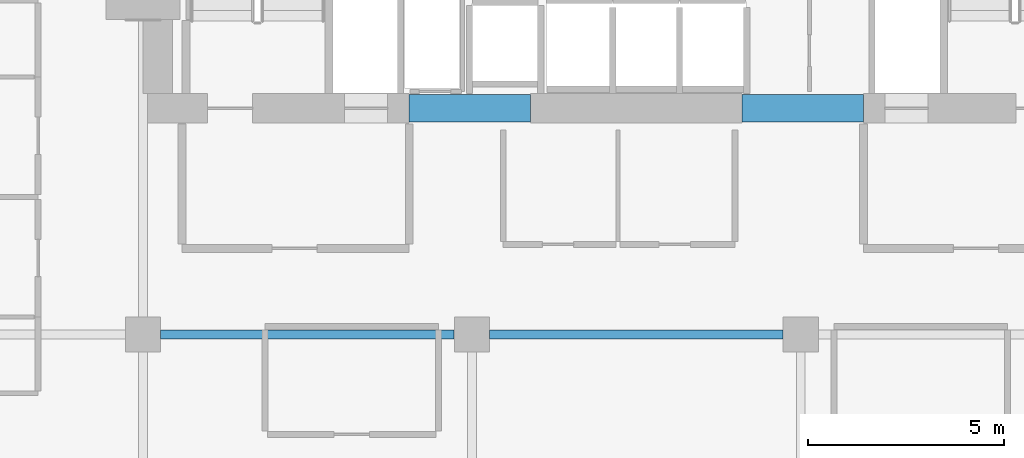
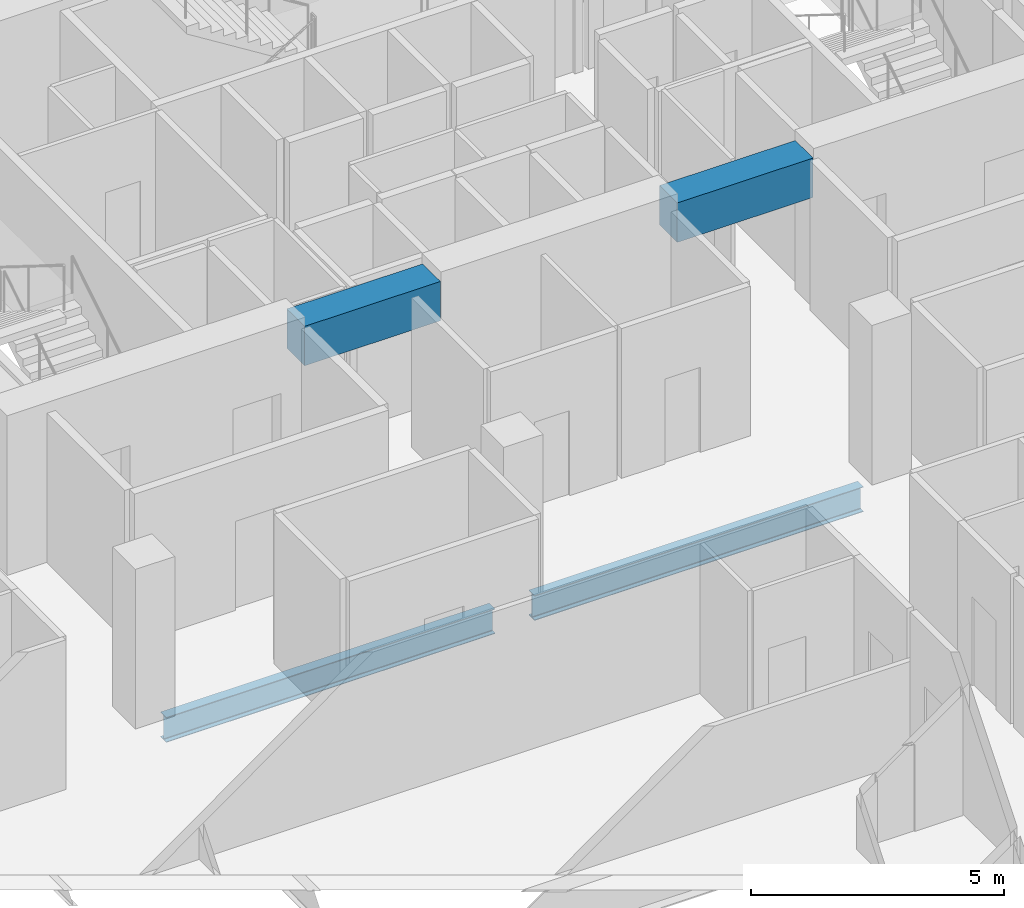
# One storey, part 21 of 34: 4 beams.
"""IFC4 building model written with IfcOpenShell, lengths in metres."""

from ifc_helpers import new_model, si_unit, direction, frame, origin, origin_2d, place, context, subcontext, project, spatial, rectangle, i_section, extrude, material, material_profile, profile_set, type_object, element, save


model = new_model("IFC4")

# Units and contexts
model_context = context("Model", 3, precision=1e-05, world=origin(), true_north=direction((0.0, 1.0)))
body_context = subcontext(model_context, "Body", "Model", "MODEL_VIEW")
ifc_project = project(units=[si_unit("LENGTHUNIT", "METRE"), si_unit("AREAUNIT", "SQUARE_METRE"), si_unit("VOLUMEUNIT", "CUBIC_METRE"), si_unit("PLANEANGLEUNIT", "RADIAN"), si_unit("MASSUNIT", "GRAM", prefix="KILO")], contexts=[model_context])

# Site, building, storey
site_placement = place(None, origin())
site = spatial("IfcSite", under=ifc_project, at=site_placement, CompositionType="ELEMENT")
building_placement = place(site_placement, origin())
building = spatial("IfcBuilding", under=site, at=building_placement, Name="Maruvema Waterfront Hotel and Observation Tower", CompositionType="ELEMENT")
storey_placement = place(building_placement, frame((0.0, 0.0, 181.300048828125)))
storey = spatial("IfcBuildingStorey", under=building, at=storey_placement, Name="L44", CompositionType="ELEMENT", Elevation=181.300048828125)

# Beams
ifc_material_1 = material(Name="Concrete C60/75", Category="concrete")
ifc_material_profile_1 = material_profile(ifc_material_1, rectangle(XDim=0.699951171875, YDim=0.949951171875, at=origin_2d()), Name="CB700x950")
ifc_profile_set_1 = profile_set([ifc_material_profile_1], Name="Concrete C60/75")
beam_type_1 = type_object("IfcBeamType", Name="Core Coupling Lintel Beam CB700x950", PredefinedType="LINTEL", material=ifc_profile_set_1)
for number, where, z_axis, x_axis, name in (
    (1, (32.0, 41.77490234375, 3.135009765625), (1.0, 0.0, 0.0), (0.0, 1.0, 0.0), "L44 Core Coupling Lintel Beam West"),
    (2, (40.5, 41.77490234375, 3.135009765625), (1.0, 0.0, 0.0), (0.0, 1.0, 0.0), "L44 Core Coupling Lintel Beam East"),
):
    element("IfcBeam", number, at=place(storey_placement, frame(where, z_axis=z_axis, x_axis=x_axis)), inside=storey, type_object=beam_type_1, Name=name, PredefinedType="LINTEL", context=body_context, shape_type="SweptSolid", body=[
        extrude(rectangle(XDim=0.699951171875, YDim=0.949951171875, at=origin_2d()), origin(), (0.0, 0.0, 1.0), 3.10009765625),
    ])
ifc_material_2 = material(Name="Steel ASTM A572 Grade 50", Category="steel")
ifc_material_profile_2 = material_profile(ifc_material_2, i_section(OverallWidth=0.22802734375, OverallDepth=0.60302734375, WebThickness=0.010498046875, FlangeThickness=0.014892578125, FilletRadius=0.01806640625, at=origin_2d()), Name="W610x101.0")
ifc_profile_set_2 = profile_set([ifc_material_profile_2], Name="Steel ASTM A572 Grade 50")
beam_type_2 = type_object("IfcBeamType", Name="Primary Floor Girder W610x101.0", PredefinedType="BEAM", material=ifc_profile_set_2)
for number, where, z_axis, x_axis, name in (
    (3, (25.64990234375, 36.0, -0.54150390625), (1.0, 0.0, 0.0), (0.0, 1.0, 0.0), "L44 Floor Girder EW-25"),
    (4, (34.050048828125, 36.0, -0.54150390625), (1.0, 0.0, 0.0), (0.0, 1.0, 0.0), "L44 Floor Girder EW-26"),
):
    element("IfcBeam", number, at=place(storey_placement, frame(where, z_axis=z_axis, x_axis=x_axis)), inside=storey, type_object=beam_type_2, Name=name, PredefinedType="BEAM", context=body_context, shape_type="SweptSolid", body=[
        extrude(i_section(OverallWidth=0.22802734375, OverallDepth=0.60302734375, WebThickness=0.010498046875, FlangeThickness=0.014892578125, FilletRadius=0.01806640625, at=origin_2d()), origin(), (0.0, 0.0, 1.0), 7.5),
    ])

save(model, "model.ifc")
